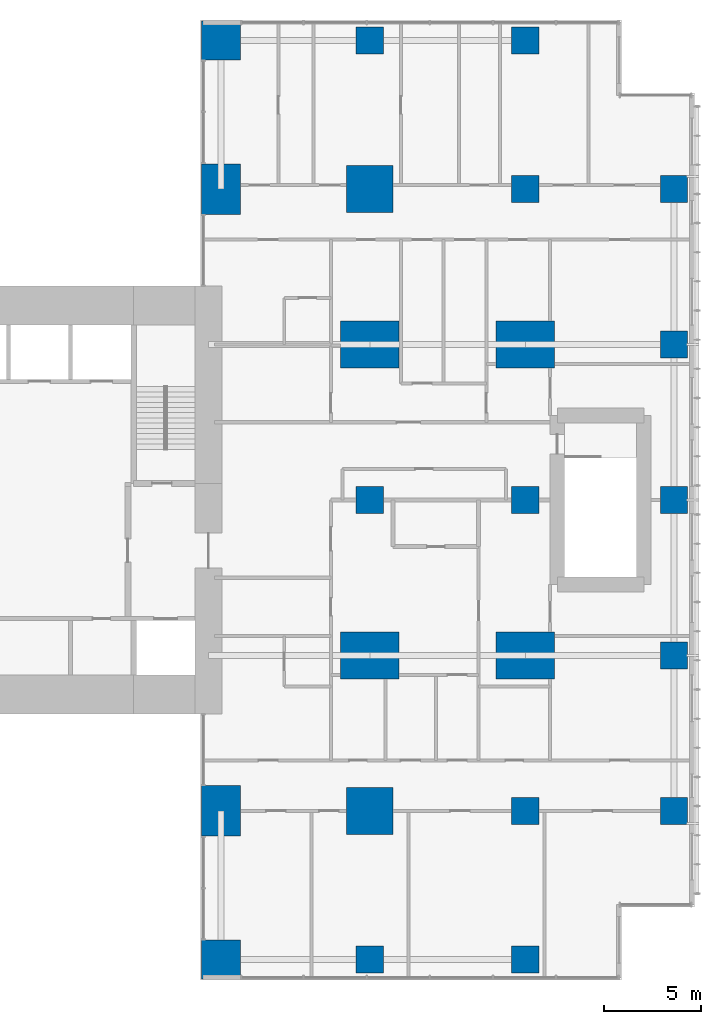
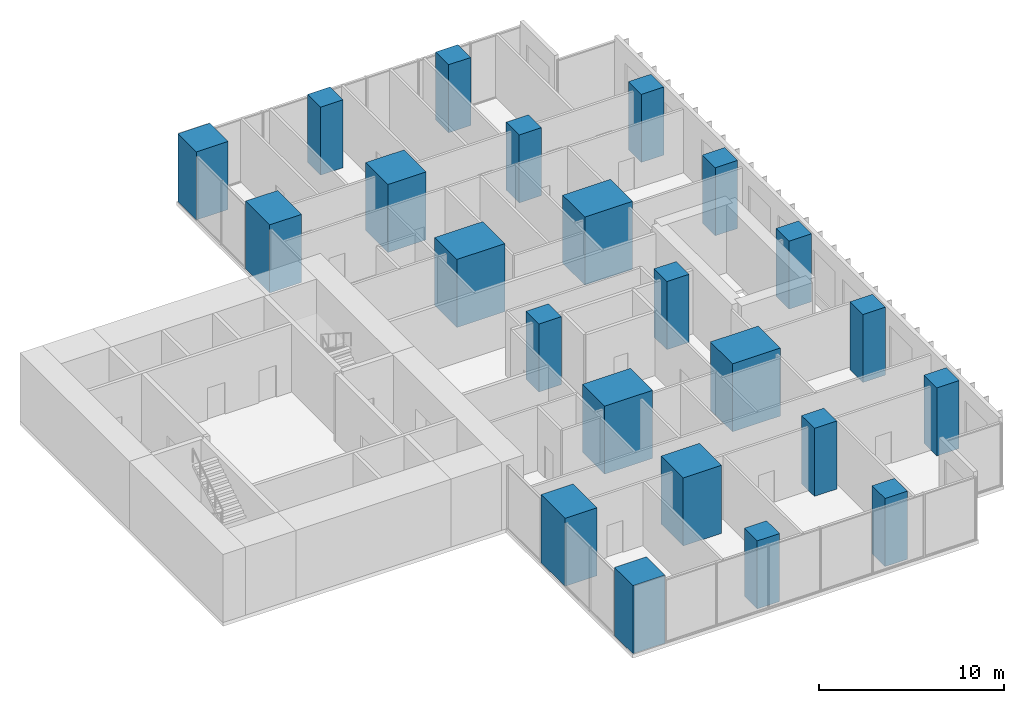
# One storey, part 1 of 11: 23 columns.
"""IFC4 building model written with IfcOpenShell, lengths in metres."""

from ifc_helpers import new_model, si_unit, direction, frame, origin, origin_2d, place, context, subcontext, project, spatial, rectangle, extrude, material, material_profile, profile_set, type_object, element, save


model = new_model("IFC4")

# Units and contexts
model_context = context("Model", 3, precision=1e-05, world=origin(), true_north=direction((0.0, 1.0)))
body_context = subcontext(model_context, "Body", "Model", "MODEL_VIEW")
ifc_project = project(units=[si_unit("LENGTHUNIT", "METRE"), si_unit("AREAUNIT", "SQUARE_METRE"), si_unit("VOLUMEUNIT", "CUBIC_METRE"), si_unit("PLANEANGLEUNIT", "RADIAN"), si_unit("MASSUNIT", "GRAM", prefix="KILO")], contexts=[model_context])

# Site, building, storey
site_placement = place(None, origin())
site = spatial("IfcSite", under=ifc_project, at=site_placement, CompositionType="ELEMENT")
building_placement = place(site_placement, origin())
building = spatial("IfcBuilding", under=site, at=building_placement, Name="Cleftline Residences", CompositionType="ELEMENT")
storey_placement = place(building_placement, frame((0.0, 0.0, 287.10009765625)))
storey = spatial("IfcBuildingStorey", under=building, at=storey_placement, Name="L75", CompositionType="ELEMENT", Elevation=287.10009765625)

# Columns
ifc_material_1 = material(Name="Concrete B70", Category="concrete")
ifc_material_profile_1 = material_profile(ifc_material_1, rectangle(XDim=1.39990234375, YDim=1.39990234375, at=origin_2d()))
ifc_profile_set_1 = profile_set([ifc_material_profile_1], Name="Concrete B70")
column_type_1 = type_object("IfcColumnType", Name="COLUMN RC1400X1400", PredefinedType="COLUMN", material=ifc_profile_set_1)
for number, where, z_axis, x_axis, name in (
    (1, (50.0, 0.35009765625, 0.0), (0.0, 0.0, 1.0), (1.0, 0.0, 0.0), "Column C/9"),
    (2, (50.0, 24.0, 0.0), (0.0, 0.0, 1.0), (1.0, 0.0, 0.0), "Column F/9"),
    (3, (50.0, 47.64990234375, 0.0), (0.0, 0.0, 1.0), (1.0, 0.0, 0.0), "Column J/9"),
    (4, (58.0, 0.35009765625, 0.0), (0.0, 0.0, 1.0), (1.0, 0.0, 0.0), "Column C/10"),
    (5, (58.0, 8.0, 0.0), (0.0, 0.0, 1.0), (1.0, 0.0, 0.0), "Column D/10"),
    (6, (58.0, 24.0, 0.0), (0.0, 0.0, 1.0), (1.0, 0.0, 0.0), "Column F/10"),
    (7, (58.0, 40.0, 0.0), (0.0, 0.0, 1.0), (1.0, 0.0, 0.0), "Column H/10"),
    (8, (58.0, 47.64990234375, 0.0), (0.0, 0.0, 1.0), (1.0, 0.0, 0.0), "Column J/10"),
    (9, (65.64990234375, 8.0, 0.0), (0.0, 0.0, 1.0), (1.0, 0.0, 0.0), "Column D/11"),
    (10, (65.64990234375, 16.0, 0.0), (0.0, 0.0, 1.0), (1.0, 0.0, 0.0), "Column E/11"),
    (11, (65.64990234375, 24.0, 0.0), (0.0, 0.0, 1.0), (1.0, 0.0, 0.0), "Column F/11"),
    (12, (65.64990234375, 32.0, 0.0), (0.0, 0.0, 1.0), (1.0, 0.0, 0.0), "Column G/11"),
    (13, (65.64990234375, 40.0, 0.0), (0.0, 0.0, 1.0), (1.0, 0.0, 0.0), "Column H/11"),
):
    element("IfcColumn", number, at=place(storey_placement, frame(where, z_axis=z_axis, x_axis=x_axis)), inside=storey, type_object=column_type_1, Name=name, PredefinedType="COLUMN", context=body_context, shape_type="SweptSolid", body=[
        extrude(rectangle(XDim=1.39990234375, YDim=1.39990234375, at=origin_2d()), origin(), (0.0, 0.0, 1.0), 4.5),
    ])
ifc_material_2 = material(Name="Concrete B70", Category="concrete")
ifc_material_profile_2 = material_profile(ifc_material_2, rectangle(XDim=2.0, YDim=2.0, at=origin_2d()))
ifc_profile_set_2 = profile_set([ifc_material_profile_2], Name="Concrete B70")
column_type_2 = type_object("IfcColumnType", Name="COLUMN RC2000X2000", PredefinedType="COLUMN", material=ifc_profile_set_2)
for number, where, z_axis, x_axis, name in (
    (14, (42.35009765625, 0.35009765625, 0.0), (0.0, 0.0, 1.0), (1.0, 0.0, 0.0), "Column C/8"),
    (15, (42.35009765625, 47.64990234375, 0.0), (0.0, 0.0, 1.0), (1.0, 0.0, 0.0), "Column J/8"),
):
    element("IfcColumn", number, at=place(storey_placement, frame(where, z_axis=z_axis, x_axis=x_axis)), inside=storey, type_object=column_type_2, Name=name, PredefinedType="COLUMN", context=body_context, shape_type="SweptSolid", body=[
        extrude(rectangle(XDim=2.0, YDim=2.0, at=origin_2d()), origin(), (0.0, 0.0, 1.0), 4.5),
    ])
ifc_material_3 = material(Name="Concrete B70", Category="concrete")
ifc_material_profile_3 = material_profile(ifc_material_3, rectangle(XDim=2.0, YDim=2.60009765625, at=origin_2d()))
ifc_profile_set_3 = profile_set([ifc_material_profile_3], Name="Concrete B70")
column_type_3 = type_object("IfcColumnType", Name="COLUMN RC2000X2600", PredefinedType="COLUMN", material=ifc_profile_set_3)
for number, where, z_axis, x_axis, name in (
    (16, (42.35009765625, 8.0, 0.0), (0.0, 0.0, 1.0), (1.0, 0.0, 0.0), "Column D/8"),
    (17, (42.35009765625, 40.0, 0.0), (0.0, 0.0, 1.0), (1.0, 0.0, 0.0), "Column H/8"),
):
    element("IfcColumn", number, at=place(storey_placement, frame(where, z_axis=z_axis, x_axis=x_axis)), inside=storey, type_object=column_type_3, Name=name, PredefinedType="COLUMN", context=body_context, shape_type="SweptSolid", body=[
        extrude(rectangle(XDim=2.0, YDim=2.60009765625, at=origin_2d()), origin(), (0.0, 0.0, 1.0), 4.5),
    ])
ifc_material_4 = material(Name="Concrete B70", Category="concrete")
ifc_material_profile_4 = material_profile(ifc_material_4, rectangle(XDim=2.39990234375, YDim=2.39990234375, at=origin_2d()))
ifc_profile_set_4 = profile_set([ifc_material_profile_4], Name="Concrete B70")
column_type_4 = type_object("IfcColumnType", Name="COLUMN RC2400X2400", PredefinedType="COLUMN", material=ifc_profile_set_4)
for number, where, z_axis, x_axis, name in (
    (18, (50.0, 8.0, 0.0), (0.0, 0.0, 1.0), (1.0, 0.0, 0.0), "Column D/9"),
    (19, (50.0, 40.0, 0.0), (0.0, 0.0, 1.0), (1.0, 0.0, 0.0), "Column H/9"),
):
    element("IfcColumn", number, at=place(storey_placement, frame(where, z_axis=z_axis, x_axis=x_axis)), inside=storey, type_object=column_type_4, Name=name, PredefinedType="COLUMN", context=body_context, shape_type="SweptSolid", body=[
        extrude(rectangle(XDim=2.39990234375, YDim=2.39990234375, at=origin_2d()), origin(), (0.0, 0.0, 1.0), 4.5),
    ])
ifc_material_5 = material(Name="Concrete B70", Category="concrete")
ifc_material_profile_5 = material_profile(ifc_material_5, rectangle(XDim=3.0, YDim=2.39990234375, at=origin_2d()))
ifc_profile_set_5 = profile_set([ifc_material_profile_5], Name="Concrete B70")
column_type_5 = type_object("IfcColumnType", Name="COLUMN RC3000X2400", PredefinedType="COLUMN", material=ifc_profile_set_5)
for number, where, z_axis, x_axis, name in (
    (20, (50.0, 16.0, 0.0), (0.0, 0.0, 1.0), (1.0, 0.0, 0.0), "Column E/9"),
    (21, (50.0, 32.0, 0.0), (0.0, 0.0, 1.0), (1.0, 0.0, 0.0), "Column G/9"),
    (22, (58.0, 16.0, 0.0), (0.0, 0.0, 1.0), (1.0, 0.0, 0.0), "Column E/10"),
    (23, (58.0, 32.0, 0.0), (0.0, 0.0, 1.0), (1.0, 0.0, 0.0), "Column G/10"),
):
    element("IfcColumn", number, at=place(storey_placement, frame(where, z_axis=z_axis, x_axis=x_axis)), inside=storey, type_object=column_type_5, Name=name, PredefinedType="COLUMN", context=body_context, shape_type="SweptSolid", body=[
        extrude(rectangle(XDim=3.0, YDim=2.39990234375, at=origin_2d()), origin(), (0.0, 0.0, 1.0), 4.5),
    ])

save(model, "model.ifc")
